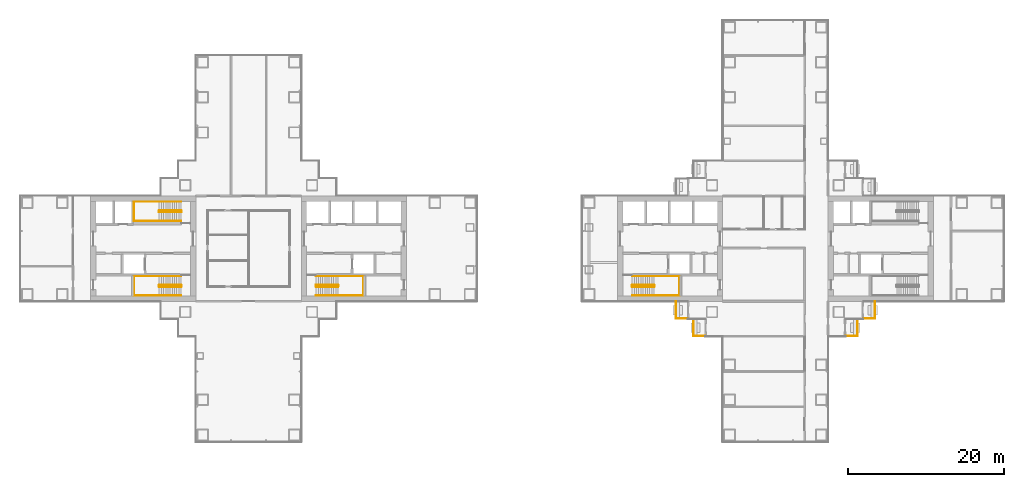
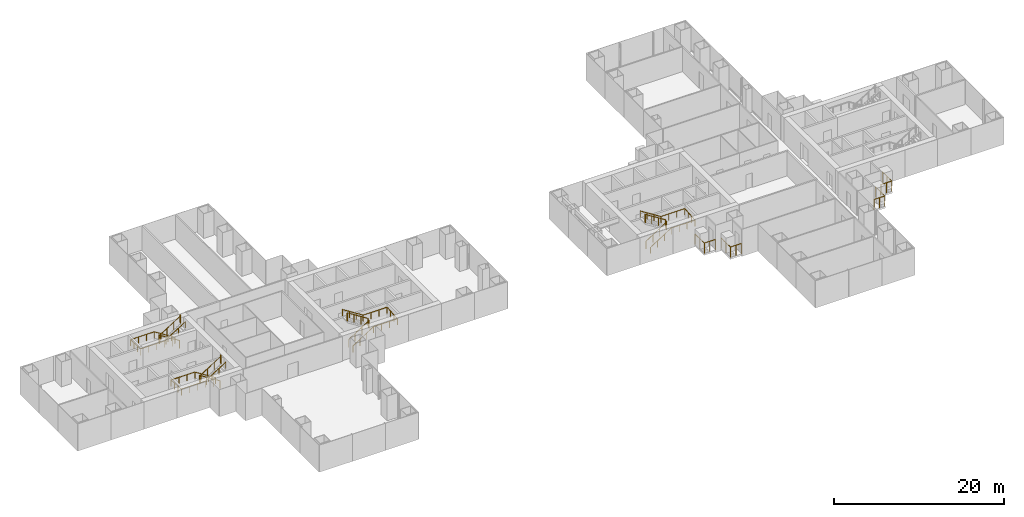
# One storey, part 19 of 21: 12 railings.
"""IFC4 building model written with IfcOpenShell, lengths in metres."""

from ifc_helpers import new_model, si_unit, direction, frame, origin, origin_2d, place, context, subcontext, project, spatial, circle, extrude, material, type_object, element, save


model = new_model("IFC4")

# Units and contexts
model_context = context("Model", 3, precision=1e-05, world=origin(), true_north=direction((0.0, 1.0)))
body_context = subcontext(model_context, "Body", "Model", "MODEL_VIEW")
ifc_project = project(units=[si_unit("LENGTHUNIT", "METRE"), si_unit("AREAUNIT", "SQUARE_METRE"), si_unit("VOLUMEUNIT", "CUBIC_METRE"), si_unit("PLANEANGLEUNIT", "RADIAN"), si_unit("MASSUNIT", "GRAM", prefix="KILO")], contexts=[model_context])

# Site, building, storey
site_placement = place(None, origin())
site = spatial("IfcSite", under=ifc_project, at=site_placement, CompositionType="ELEMENT")
building_placement = place(site_placement, origin())
building = spatial("IfcBuilding", under=site, at=building_placement, Name="Shamsa Quay Exchange Towers", CompositionType="ELEMENT")
storey_placement = place(building_placement, frame((0.0, 0.0, 53.699951171875)))
storey = spatial("IfcBuildingStorey", under=building, at=storey_placement, Name="L11", CompositionType="ELEMENT", Elevation=53.699951171875)

# Railings
ifc_material_1 = material(Name="Steel S355, black powder-coated", Category="steel")
railing_type_1 = type_object("IfcRailingType", Name="BALCONY GUARD 1500", PredefinedType="GUARDRAIL", material=ifc_material_1)
for number, where, name in (
    (1, (21.0, -6.7880859375, 0.0), "Balcony guard T2-PKWN L11"),
    (2, (23.25, -9.0380859375, 0.0), "Balcony guard T2-PKWN L11"),
):
    element("IfcRailing", number, at=place(storey_placement, frame(where)), inside=storey, type_object=railing_type_1, Name=name, PredefinedType="GUARDRAIL", context=body_context, shape_type="SweptSolid", body=[
        extrude(circle(Radius=0.02392578125, at=origin_2d()), frame((0.0, 0.0, 1.47607421875), z_axis=(0.0, -1.0, 0.0), x_axis=(1.0, 0.0, 0.0)), (0.0, 0.0, 1.0), 2.161865234375),
        extrude(circle(Radius=0.02392578125, at=origin_2d()), frame((0.0, -2.161865234375, 1.47607421875), z_axis=(1.0, 0.0, 0.0), x_axis=(0.0, 1.0, 0.0)), (0.0, 0.0, 1.0), 1.47900390625),
        extrude(circle(Radius=0.02099609375, at=origin_2d()), origin(), (0.0, 0.0, 1.0), 1.451904296875),
        extrude(circle(Radius=0.02099609375, at=origin_2d()), frame((0.0, -1.0810546875, 0.0)), (0.0, 0.0, 1.0), 1.451904296875),
        extrude(circle(Radius=0.02099609375, at=origin_2d()), frame((0.0, -2.161865234375, 0.0)), (0.0, 0.0, 1.0), 1.451904296875),
        extrude(circle(Radius=0.02099609375, at=origin_2d()), frame((0.739501953125, -2.161865234375, 0.0)), (0.0, 0.0, 1.0), 1.451904296875),
        extrude(circle(Radius=0.02099609375, at=origin_2d()), frame((1.47900390625, -2.161865234375, 0.0)), (0.0, 0.0, 1.0), 1.451904296875),
    ])
for number, where, name in (
    (3, (42.77099609375, -11.199951171875, 0.0), "Balcony guard T2-PKWS L11"),
    (4, (45.02099609375, -8.949951171875, 0.0), "Balcony guard T2-PKWS L11"),
):
    element("IfcRailing", number, at=place(storey_placement, frame(where)), inside=storey, type_object=railing_type_1, Name=name, PredefinedType="GUARDRAIL", context=body_context, shape_type="SweptSolid", body=[
        extrude(circle(Radius=0.02392578125, at=origin_2d()), frame((0.0, 0.0, 1.47607421875), z_axis=(1.0, 0.0, 0.0), x_axis=(0.0, 1.0, 0.0)), (0.0, 0.0, 1.0), 1.47900390625),
        extrude(circle(Radius=0.02392578125, at=origin_2d()), frame((1.47900390625, 0.0, 1.47607421875), z_axis=(0.0, 1.0, 0.0), x_axis=(-1.0, 0.0, 0.0)), (0.0, 0.0, 1.0), 2.161865234375),
        extrude(circle(Radius=0.02099609375, at=origin_2d()), origin(), (0.0, 0.0, 1.0), 1.451904296875),
        extrude(circle(Radius=0.02099609375, at=origin_2d()), frame((0.739501953125, 0.0, 0.0)), (0.0, 0.0, 1.0), 1.451904296875),
        extrude(circle(Radius=0.02099609375, at=origin_2d()), frame((1.47900390625, 0.0, 0.0)), (0.0, 0.0, 1.0), 1.451904296875),
        extrude(circle(Radius=0.02099609375, at=origin_2d()), frame((1.47900390625, 1.0810546875, 0.0)), (0.0, 0.0, 1.0), 1.451904296875),
        extrude(circle(Radius=0.02099609375, at=origin_2d()), frame((1.47900390625, 2.161865234375, 0.0)), (0.0, 0.0, 1.0), 1.451904296875),
    ])
ifc_material_2 = material(Name="Stainless steel", Category="steel")
railing_type_2 = type_object("IfcRailingType", Name="STAIR GUARD 1100", PredefinedType="GUARDRAIL", material=ifc_material_2)
railing_1_placement = place(storey_placement, frame((-25.10009765625, -4.89990234375, 0.17724609375)))
element("IfcRailing", 5, at=railing_1_placement, inside=storey, type_object=railing_type_2, Name="L11 ST1 stair guard 1", PredefinedType="GUARDRAIL", context=body_context, shape_type="SweptSolid", body=[
    extrude(circle(Radius=0.02392578125, at=origin_2d()), frame((0.0, 0.0, 1.076171875), z_axis=(0.844908973607, 0.0, 0.534910110503), x_axis=(0.0, 1.0, 0.0)), (0.0, 0.0, 1.0), 3.31396484375),
    extrude(circle(Radius=0.02392578125, at=origin_2d()), frame((2.800048828125, 0.0, 2.8486328125), z_axis=(0.708833529934, 0.705375805398, 0.0), x_axis=(-0.705375805398, 0.708833529934, 0.0)), (0.0, 0.0, 1.0), 0.070556640625),
    extrude(circle(Radius=0.02392578125, at=origin_2d()), frame((2.85009765625, 0.0498046875, 2.8486328125), z_axis=(0.0, 1.0, 0.0), x_axis=(-1.0, 0.0, 0.0)), (0.0, 0.0, 1.0), 0.150146484375),
    extrude(circle(Radius=0.02392578125, at=origin_2d()), frame((2.85009765625, 0.199951171875, 2.8486328125), z_axis=(-0.261922500866, 0.261922500866, 0.928866625022), x_axis=(-0.707106781187, -0.707106781187, 0.0)), (0.0, 0.0, 1.0), 0.191162109375),
    extrude(circle(Radius=0.02392578125, at=origin_2d()), frame((2.800048828125, 0.25, 3.0263671875), z_axis=(-0.844908973607, 0.0, 0.534910110503), x_axis=(0.0, -1.0, 0.0)), (0.0, 0.0, 1.0), 3.31396484375),
    extrude(circle(Radius=0.02392578125, at=origin_2d()), frame((0.0, 0.25, 4.798828125), z_axis=(-0.24142163986, -0.970420317083, 0.0), x_axis=(0.970420317083, -0.24142163986, 0.0)), (0.0, 0.0, 1.0), 0.206298828125),
    extrude(circle(Radius=0.02392578125, at=origin_2d()), frame((-0.0498046875, 0.0498046875, 4.798828125), z_axis=(0.0, 1.0, 0.0), x_axis=(-1.0, 0.0, 0.0)), (0.0, 0.0, 1.0), 0.150146484375),
    extrude(circle(Radius=0.02099609375, at=origin_2d()), origin(), (0.0, 0.0, 1.0), 1.052001953125),
    extrude(circle(Radius=0.02099609375, at=origin_2d()), frame((0.933349609375, 0.0, 0.5908203125)), (0.0, 0.0, 1.0), 1.052001953125),
    extrude(circle(Radius=0.02099609375, at=origin_2d()), frame((1.86669921875, 0.0, 1.181884765625)), (0.0, 0.0, 1.0), 1.052001953125),
    extrude(circle(Radius=0.02099609375, at=origin_2d()), frame((2.800048828125, 0.0, 1.772705078125)), (0.0, 0.0, 1.0), 1.052001953125),
    extrude(circle(Radius=0.02099609375, at=origin_2d()), frame((2.85009765625, 0.0498046875, 1.772705078125)), (0.0, 0.0, 1.0), 1.052001953125),
    extrude(circle(Radius=0.02099609375, at=origin_2d()), frame((2.85009765625, 0.199951171875, 1.772705078125)), (0.0, 0.0, 1.0), 1.052001953125),
    extrude(circle(Radius=0.02099609375, at=origin_2d()), frame((2.800048828125, 0.25, 1.9501953125)), (0.0, 0.0, 1.0), 1.052001953125),
    extrude(circle(Radius=0.02099609375, at=origin_2d()), frame((1.86669921875, 0.25, 2.541015625)), (0.0, 0.0, 1.0), 1.052001953125),
    extrude(circle(Radius=0.02099609375, at=origin_2d()), frame((0.933349609375, 0.25, 3.132080078125)), (0.0, 0.0, 1.0), 1.052001953125),
    extrude(circle(Radius=0.02099609375, at=origin_2d()), frame((0.0, 0.25, 3.722900390625)), (0.0, 0.0, 1.0), 1.052001953125),
    extrude(circle(Radius=0.02099609375, at=origin_2d()), frame((-0.0498046875, 0.0498046875, 3.722900390625)), (0.0, 0.0, 1.0), 1.052001953125),
    extrude(circle(Radius=0.02099609375, at=origin_2d()), frame((-0.0498046875, 0.199951171875, 3.722900390625)), (0.0, 0.0, 1.0), 1.052001953125),
])
railing_2_placement = place(storey_placement, frame((-42.39990234375, -4.64990234375, 0.17724609375)))
element("IfcRailing", 6, at=railing_2_placement, inside=storey, type_object=railing_type_2, Name="L11 ST2 stair guard 1", PredefinedType="GUARDRAIL", context=body_context, shape_type="SweptSolid", body=[
    extrude(circle(Radius=0.02392578125, at=origin_2d()), frame((0.0, 0.0, 1.076171875), z_axis=(-0.844908973607, 0.0, 0.534910110503), x_axis=(0.0, -1.0, 0.0)), (0.0, 0.0, 1.0), 3.31396484375),
    extrude(circle(Radius=0.02392578125, at=origin_2d()), frame((-2.800048828125, 0.0, 2.8486328125), z_axis=(-0.707106781187, -0.707106781187, 0.0), x_axis=(0.707106781187, -0.707106781187, 0.0)), (0.0, 0.0, 1.0), 0.07080078125),
    extrude(circle(Radius=0.02392578125, at=origin_2d()), frame((-2.85009765625, -0.050048828125, 2.8486328125), z_axis=(0.0, -1.0, 0.0), x_axis=(1.0, 0.0, 0.0)), (0.0, 0.0, 1.0), 0.150146484375),
    extrude(circle(Radius=0.02392578125, at=origin_2d()), frame((-2.85009765625, -0.2001953125, 2.8486328125), z_axis=(0.262009983441, -0.260731885961, 0.929176868105), x_axis=(0.705375805398, 0.708833529934, 0.0)), (0.0, 0.0, 1.0), 0.19091796875),
    extrude(circle(Radius=0.02392578125, at=origin_2d()), frame((-2.800048828125, -0.25, 3.0263671875), z_axis=(0.844908973607, 0.0, 0.534910110503), x_axis=(0.0, 1.0, 0.0)), (0.0, 0.0, 1.0), 3.31396484375),
    extrude(circle(Radius=0.02392578125, at=origin_2d()), frame((0.0, -0.25, 4.798828125), z_axis=(0.241699205484, 0.970351222016, 0.0), x_axis=(-0.970351222016, 0.241699205484, 0.0)), (0.0, 0.0, 1.0), 0.2060546875),
    extrude(circle(Radius=0.02392578125, at=origin_2d()), frame((0.0498046875, -0.050048828125, 4.798828125), z_axis=(0.0, -1.0, 0.0), x_axis=(1.0, 0.0, 0.0)), (0.0, 0.0, 1.0), 0.150146484375),
    extrude(circle(Radius=0.02099609375, at=origin_2d()), origin(), (0.0, 0.0, 1.0), 1.052001953125),
    extrude(circle(Radius=0.02099609375, at=origin_2d()), frame((-0.933349609375, 0.0, 0.5908203125)), (0.0, 0.0, 1.0), 1.052001953125),
    extrude(circle(Radius=0.02099609375, at=origin_2d()), frame((-1.86669921875, 0.0, 1.181884765625)), (0.0, 0.0, 1.0), 1.052001953125),
    extrude(circle(Radius=0.02099609375, at=origin_2d()), frame((-2.800048828125, 0.0, 1.772705078125)), (0.0, 0.0, 1.0), 1.052001953125),
    extrude(circle(Radius=0.02099609375, at=origin_2d()), frame((-2.85009765625, -0.050048828125, 1.772705078125)), (0.0, 0.0, 1.0), 1.052001953125),
    extrude(circle(Radius=0.02099609375, at=origin_2d()), frame((-2.85009765625, -0.2001953125, 1.772705078125)), (0.0, 0.0, 1.0), 1.052001953125),
    extrude(circle(Radius=0.02099609375, at=origin_2d()), frame((-2.800048828125, -0.25, 1.9501953125)), (0.0, 0.0, 1.0), 1.052001953125),
    extrude(circle(Radius=0.02099609375, at=origin_2d()), frame((-1.86669921875, -0.25, 2.541015625)), (0.0, 0.0, 1.0), 1.052001953125),
    extrude(circle(Radius=0.02099609375, at=origin_2d()), frame((-0.933349609375, -0.25, 3.132080078125)), (0.0, 0.0, 1.0), 1.052001953125),
    extrude(circle(Radius=0.02099609375, at=origin_2d()), frame((0.0, -0.25, 3.722900390625)), (0.0, 0.0, 1.0), 1.052001953125),
    extrude(circle(Radius=0.02099609375, at=origin_2d()), frame((0.0498046875, -0.050048828125, 3.722900390625)), (0.0, 0.0, 1.0), 1.052001953125),
    extrude(circle(Radius=0.02099609375, at=origin_2d()), frame((0.0498046875, -0.2001953125, 3.722900390625)), (0.0, 0.0, 1.0), 1.052001953125),
])
railing_3_placement = place(storey_placement, frame((-42.39990234375, 4.89990234375, 0.17724609375)))
element("IfcRailing", 7, at=railing_3_placement, inside=storey, type_object=railing_type_2, Name="L11 ST3 stair guard 1", PredefinedType="GUARDRAIL", context=body_context, shape_type="SweptSolid", body=[
    extrude(circle(Radius=0.02392578125, at=origin_2d()), frame((0.0, 0.0, 1.076171875), z_axis=(-0.844908973607, 0.0, 0.534910110503), x_axis=(0.0, -1.0, 0.0)), (0.0, 0.0, 1.0), 3.31396484375),
    extrude(circle(Radius=0.02392578125, at=origin_2d()), frame((-2.800048828125, 0.0, 2.8486328125), z_axis=(-0.708833529934, -0.705375805398, 0.0), x_axis=(0.705375805398, -0.708833529934, 0.0)), (0.0, 0.0, 1.0), 0.070556640625),
    extrude(circle(Radius=0.02392578125, at=origin_2d()), frame((-2.85009765625, -0.0498046875, 2.8486328125), z_axis=(0.0, -1.0, 0.0), x_axis=(1.0, 0.0, 0.0)), (0.0, 0.0, 1.0), 0.150146484375),
    extrude(circle(Radius=0.02392578125, at=origin_2d()), frame((-2.85009765625, -0.199951171875, 2.8486328125), z_axis=(0.261922500866, -0.261922500866, 0.928866625022), x_axis=(0.707106781187, 0.707106781187, 0.0)), (0.0, 0.0, 1.0), 0.191162109375),
    extrude(circle(Radius=0.02392578125, at=origin_2d()), frame((-2.800048828125, -0.25, 3.0263671875), z_axis=(0.844908973607, 0.0, 0.534910110503), x_axis=(0.0, 1.0, 0.0)), (0.0, 0.0, 1.0), 3.31396484375),
    extrude(circle(Radius=0.02392578125, at=origin_2d()), frame((0.0, -0.25, 4.798828125), z_axis=(0.24142163986, 0.970420317083, 0.0), x_axis=(-0.970420317083, 0.24142163986, 0.0)), (0.0, 0.0, 1.0), 0.206298828125),
    extrude(circle(Radius=0.02392578125, at=origin_2d()), frame((0.0498046875, -0.0498046875, 4.798828125), z_axis=(0.0, -1.0, 0.0), x_axis=(1.0, 0.0, 0.0)), (0.0, 0.0, 1.0), 0.150146484375),
    extrude(circle(Radius=0.02099609375, at=origin_2d()), origin(), (0.0, 0.0, 1.0), 1.052001953125),
    extrude(circle(Radius=0.02099609375, at=origin_2d()), frame((-0.933349609375, 0.0, 0.5908203125)), (0.0, 0.0, 1.0), 1.052001953125),
    extrude(circle(Radius=0.02099609375, at=origin_2d()), frame((-1.86669921875, 0.0, 1.181884765625)), (0.0, 0.0, 1.0), 1.052001953125),
    extrude(circle(Radius=0.02099609375, at=origin_2d()), frame((-2.800048828125, 0.0, 1.772705078125)), (0.0, 0.0, 1.0), 1.052001953125),
    extrude(circle(Radius=0.02099609375, at=origin_2d()), frame((-2.85009765625, -0.0498046875, 1.772705078125)), (0.0, 0.0, 1.0), 1.052001953125),
    extrude(circle(Radius=0.02099609375, at=origin_2d()), frame((-2.85009765625, -0.199951171875, 1.772705078125)), (0.0, 0.0, 1.0), 1.052001953125),
    extrude(circle(Radius=0.02099609375, at=origin_2d()), frame((-2.800048828125, -0.25, 1.9501953125)), (0.0, 0.0, 1.0), 1.052001953125),
    extrude(circle(Radius=0.02099609375, at=origin_2d()), frame((-1.86669921875, -0.25, 2.541015625)), (0.0, 0.0, 1.0), 1.052001953125),
    extrude(circle(Radius=0.02099609375, at=origin_2d()), frame((-0.933349609375, -0.25, 3.132080078125)), (0.0, 0.0, 1.0), 1.052001953125),
    extrude(circle(Radius=0.02099609375, at=origin_2d()), frame((0.0, -0.25, 3.722900390625)), (0.0, 0.0, 1.0), 1.052001953125),
    extrude(circle(Radius=0.02099609375, at=origin_2d()), frame((0.0498046875, -0.0498046875, 3.722900390625)), (0.0, 0.0, 1.0), 1.052001953125),
    extrude(circle(Radius=0.02099609375, at=origin_2d()), frame((0.0498046875, -0.199951171875, 3.722900390625)), (0.0, 0.0, 1.0), 1.052001953125),
])
railing_4_placement = place(storey_placement, frame((15.39990234375, -4.89990234375, 0.17724609375)))
element("IfcRailing", 8, at=railing_4_placement, inside=storey, type_object=railing_type_2, Name="L11 ST4 stair guard 1", PredefinedType="GUARDRAIL", context=body_context, shape_type="SweptSolid", body=[
    extrude(circle(Radius=0.02392578125, at=origin_2d()), frame((0.0, 0.0, 1.076171875), z_axis=(0.844908973607, 0.0, 0.534910110503), x_axis=(0.0, 1.0, 0.0)), (0.0, 0.0, 1.0), 3.31396484375),
    extrude(circle(Radius=0.02392578125, at=origin_2d()), frame((2.800048828125, 0.0, 2.8486328125), z_axis=(0.708833529934, 0.705375805398, 0.0), x_axis=(-0.705375805398, 0.708833529934, 0.0)), (0.0, 0.0, 1.0), 0.070556640625),
    extrude(circle(Radius=0.02392578125, at=origin_2d()), frame((2.85009765625, 0.0498046875, 2.8486328125), z_axis=(0.0, 1.0, 0.0), x_axis=(-1.0, 0.0, 0.0)), (0.0, 0.0, 1.0), 0.150146484375),
    extrude(circle(Radius=0.02392578125, at=origin_2d()), frame((2.85009765625, 0.199951171875, 2.8486328125), z_axis=(-0.261922500866, 0.261922500866, 0.928866625022), x_axis=(-0.707106781187, -0.707106781187, 0.0)), (0.0, 0.0, 1.0), 0.191162109375),
    extrude(circle(Radius=0.02392578125, at=origin_2d()), frame((2.800048828125, 0.25, 3.0263671875), z_axis=(-0.844908973607, 0.0, 0.534910110503), x_axis=(0.0, -1.0, 0.0)), (0.0, 0.0, 1.0), 3.31396484375),
    extrude(circle(Radius=0.02392578125, at=origin_2d()), frame((0.0, 0.25, 4.798828125), z_axis=(-0.24142163986, -0.970420317083, 0.0), x_axis=(0.970420317083, -0.24142163986, 0.0)), (0.0, 0.0, 1.0), 0.206298828125),
    extrude(circle(Radius=0.02392578125, at=origin_2d()), frame((-0.0498046875, 0.0498046875, 4.798828125), z_axis=(0.0, 1.0, 0.0), x_axis=(-1.0, 0.0, 0.0)), (0.0, 0.0, 1.0), 0.150146484375),
    extrude(circle(Radius=0.02099609375, at=origin_2d()), origin(), (0.0, 0.0, 1.0), 1.052001953125),
    extrude(circle(Radius=0.02099609375, at=origin_2d()), frame((0.933349609375, 0.0, 0.5908203125)), (0.0, 0.0, 1.0), 1.052001953125),
    extrude(circle(Radius=0.02099609375, at=origin_2d()), frame((1.86669921875, 0.0, 1.181884765625)), (0.0, 0.0, 1.0), 1.052001953125),
    extrude(circle(Radius=0.02099609375, at=origin_2d()), frame((2.800048828125, 0.0, 1.772705078125)), (0.0, 0.0, 1.0), 1.052001953125),
    extrude(circle(Radius=0.02099609375, at=origin_2d()), frame((2.85009765625, 0.0498046875, 1.772705078125)), (0.0, 0.0, 1.0), 1.052001953125),
    extrude(circle(Radius=0.02099609375, at=origin_2d()), frame((2.85009765625, 0.199951171875, 1.772705078125)), (0.0, 0.0, 1.0), 1.052001953125),
    extrude(circle(Radius=0.02099609375, at=origin_2d()), frame((2.800048828125, 0.25, 1.9501953125)), (0.0, 0.0, 1.0), 1.052001953125),
    extrude(circle(Radius=0.02099609375, at=origin_2d()), frame((1.86669921875, 0.25, 2.541015625)), (0.0, 0.0, 1.0), 1.052001953125),
    extrude(circle(Radius=0.02099609375, at=origin_2d()), frame((0.933349609375, 0.25, 3.132080078125)), (0.0, 0.0, 1.0), 1.052001953125),
    extrude(circle(Radius=0.02099609375, at=origin_2d()), frame((0.0, 0.25, 3.722900390625)), (0.0, 0.0, 1.0), 1.052001953125),
    extrude(circle(Radius=0.02099609375, at=origin_2d()), frame((-0.0498046875, 0.0498046875, 3.722900390625)), (0.0, 0.0, 1.0), 1.052001953125),
    extrude(circle(Radius=0.02099609375, at=origin_2d()), frame((-0.0498046875, 0.199951171875, 3.722900390625)), (0.0, 0.0, 1.0), 1.052001953125),
])
railing_type_3 = type_object("IfcRailingType", Name="STAIR HANDRAIL 900", PredefinedType="HANDRAIL", material=ifc_material_2)
railing_5_placement = place(storey_placement, frame((-25.10009765625, -6.0, 0.17724609375)))
element("IfcRailing", 9, at=railing_5_placement, inside=storey, type_object=railing_type_3, Name="L11 ST1 stair handrail 1", PredefinedType="HANDRAIL", context=body_context, shape_type="SweptSolid", body=[
    extrude(circle(Radius=0.02392578125, at=origin_2d()), frame((0.0, 0.0, 0.8759765625), z_axis=(0.844908973607, 0.0, 0.534910110503), x_axis=(0.0, 1.0, 0.0)), (0.0, 0.0, 1.0), 3.31396484375),
    extrude(circle(Radius=0.02392578125, at=origin_2d()), frame((2.800048828125, 0.0, 2.6484375), z_axis=(1.0, 0.0, 0.0), x_axis=(0.0, 1.0, 0.0)), (0.0, 0.0, 1.0), 3.25),
    extrude(circle(Radius=0.02392578125, at=origin_2d()), frame((6.050048828125, 0.0, 2.6484375), z_axis=(0.0, 0.997386041853, 0.072257065513), x_axis=(-1.0, 0.0, 0.0)), (0.0, 0.0, 1.0), 2.456298828125),
    extrude(circle(Radius=0.02392578125, at=origin_2d()), frame((6.050048828125, 2.449951171875, 2.826171875), z_axis=(-1.0, 0.0, 0.0), x_axis=(0.0, -1.0, 0.0)), (0.0, 0.0, 1.0), 3.25),
    extrude(circle(Radius=0.02392578125, at=origin_2d()), frame((2.800048828125, 2.449951171875, 2.826171875), z_axis=(-0.844908973607, 0.0, 0.534910110503), x_axis=(0.0, -1.0, 0.0)), (0.0, 0.0, 1.0), 3.31396484375),
    extrude(circle(Radius=0.02099609375, at=origin_2d()), origin(), (0.0, 0.0, 1.0), 0.851806640625),
    extrude(circle(Radius=0.02099609375, at=origin_2d()), frame((0.933349609375, 0.0, 0.5908203125)), (0.0, 0.0, 1.0), 0.851806640625),
    extrude(circle(Radius=0.02099609375, at=origin_2d()), frame((1.86669921875, 0.0, 1.181884765625)), (0.0, 0.0, 1.0), 0.851806640625),
    extrude(circle(Radius=0.02099609375, at=origin_2d()), frame((2.800048828125, 0.0, 1.772705078125)), (0.0, 0.0, 1.0), 0.851806640625),
    extrude(circle(Radius=0.02099609375, at=origin_2d()), frame((3.88330078125, 0.0, 1.772705078125)), (0.0, 0.0, 1.0), 0.851806640625),
    extrude(circle(Radius=0.02099609375, at=origin_2d()), frame((4.966796875, 0.0, 1.772705078125)), (0.0, 0.0, 1.0), 0.851806640625),
    extrude(circle(Radius=0.02099609375, at=origin_2d()), frame((6.050048828125, 0.0, 1.772705078125)), (0.0, 0.0, 1.0), 0.851806640625),
    extrude(circle(Radius=0.02099609375, at=origin_2d()), frame((6.050048828125, 0.816650390625, 1.831787109375)), (0.0, 0.0, 1.0), 0.851806640625),
    extrude(circle(Radius=0.02099609375, at=origin_2d()), frame((6.050048828125, 1.63330078125, 1.89111328125)), (0.0, 0.0, 1.0), 0.851806640625),
    extrude(circle(Radius=0.02099609375, at=origin_2d()), frame((6.050048828125, 2.449951171875, 1.9501953125)), (0.0, 0.0, 1.0), 0.851806640625),
    extrude(circle(Radius=0.02099609375, at=origin_2d()), frame((4.966796875, 2.449951171875, 1.9501953125)), (0.0, 0.0, 1.0), 0.851806640625),
    extrude(circle(Radius=0.02099609375, at=origin_2d()), frame((3.88330078125, 2.449951171875, 1.9501953125)), (0.0, 0.0, 1.0), 0.851806640625),
    extrude(circle(Radius=0.02099609375, at=origin_2d()), frame((2.800048828125, 2.449951171875, 1.9501953125)), (0.0, 0.0, 1.0), 0.851806640625),
    extrude(circle(Radius=0.02099609375, at=origin_2d()), frame((1.86669921875, 2.449951171875, 2.541015625)), (0.0, 0.0, 1.0), 0.851806640625),
    extrude(circle(Radius=0.02099609375, at=origin_2d()), frame((0.933349609375, 2.449951171875, 3.132080078125)), (0.0, 0.0, 1.0), 0.851806640625),
    extrude(circle(Radius=0.02099609375, at=origin_2d()), frame((0.0, 2.449951171875, 3.722900390625)), (0.0, 0.0, 1.0), 0.851806640625),
])
railing_6_placement = place(storey_placement, frame((-42.39990234375, -3.550048828125, 0.17724609375)))
element("IfcRailing", 10, at=railing_6_placement, inside=storey, type_object=railing_type_3, Name="L11 ST2 stair handrail 1", PredefinedType="HANDRAIL", context=body_context, shape_type="SweptSolid", body=[
    extrude(circle(Radius=0.02392578125, at=origin_2d()), frame((0.0, 0.0, 0.8759765625), z_axis=(-0.844908973607, 0.0, 0.534910110503), x_axis=(0.0, -1.0, 0.0)), (0.0, 0.0, 1.0), 3.31396484375),
    extrude(circle(Radius=0.02392578125, at=origin_2d()), frame((-2.800048828125, 0.0, 2.6484375), z_axis=(-1.0, 0.0, 0.0), x_axis=(0.0, -1.0, 0.0)), (0.0, 0.0, 1.0), 3.25),
    extrude(circle(Radius=0.02392578125, at=origin_2d()), frame((-6.050048828125, 0.0, 2.6484375), z_axis=(0.0, -0.997386041853, 0.072257065513), x_axis=(1.0, 0.0, 0.0)), (0.0, 0.0, 1.0), 2.456298828125),
    extrude(circle(Radius=0.02392578125, at=origin_2d()), frame((-6.050048828125, -2.449951171875, 2.826171875), z_axis=(1.0, 0.0, 0.0), x_axis=(0.0, 1.0, 0.0)), (0.0, 0.0, 1.0), 3.25),
    extrude(circle(Radius=0.02392578125, at=origin_2d()), frame((-2.800048828125, -2.449951171875, 2.826171875), z_axis=(0.844908973607, 0.0, 0.534910110503), x_axis=(0.0, 1.0, 0.0)), (0.0, 0.0, 1.0), 3.31396484375),
    extrude(circle(Radius=0.02099609375, at=origin_2d()), origin(), (0.0, 0.0, 1.0), 0.851806640625),
    extrude(circle(Radius=0.02099609375, at=origin_2d()), frame((-0.933349609375, 0.0, 0.5908203125)), (0.0, 0.0, 1.0), 0.851806640625),
    extrude(circle(Radius=0.02099609375, at=origin_2d()), frame((-1.86669921875, 0.0, 1.181884765625)), (0.0, 0.0, 1.0), 0.851806640625),
    extrude(circle(Radius=0.02099609375, at=origin_2d()), frame((-2.800048828125, 0.0, 1.772705078125)), (0.0, 0.0, 1.0), 0.851806640625),
    extrude(circle(Radius=0.02099609375, at=origin_2d()), frame((-3.88330078125, 0.0, 1.772705078125)), (0.0, 0.0, 1.0), 0.851806640625),
    extrude(circle(Radius=0.02099609375, at=origin_2d()), frame((-4.966796875, 0.0, 1.772705078125)), (0.0, 0.0, 1.0), 0.851806640625),
    extrude(circle(Radius=0.02099609375, at=origin_2d()), frame((-6.050048828125, 0.0, 1.772705078125)), (0.0, 0.0, 1.0), 0.851806640625),
    extrude(circle(Radius=0.02099609375, at=origin_2d()), frame((-6.050048828125, -0.816650390625, 1.831787109375)), (0.0, 0.0, 1.0), 0.851806640625),
    extrude(circle(Radius=0.02099609375, at=origin_2d()), frame((-6.050048828125, -1.63330078125, 1.89111328125)), (0.0, 0.0, 1.0), 0.851806640625),
    extrude(circle(Radius=0.02099609375, at=origin_2d()), frame((-6.050048828125, -2.449951171875, 1.9501953125)), (0.0, 0.0, 1.0), 0.851806640625),
    extrude(circle(Radius=0.02099609375, at=origin_2d()), frame((-4.966796875, -2.449951171875, 1.9501953125)), (0.0, 0.0, 1.0), 0.851806640625),
    extrude(circle(Radius=0.02099609375, at=origin_2d()), frame((-3.88330078125, -2.449951171875, 1.9501953125)), (0.0, 0.0, 1.0), 0.851806640625),
    extrude(circle(Radius=0.02099609375, at=origin_2d()), frame((-2.800048828125, -2.449951171875, 1.9501953125)), (0.0, 0.0, 1.0), 0.851806640625),
    extrude(circle(Radius=0.02099609375, at=origin_2d()), frame((-1.86669921875, -2.449951171875, 2.541015625)), (0.0, 0.0, 1.0), 0.851806640625),
    extrude(circle(Radius=0.02099609375, at=origin_2d()), frame((-0.933349609375, -2.449951171875, 3.132080078125)), (0.0, 0.0, 1.0), 0.851806640625),
    extrude(circle(Radius=0.02099609375, at=origin_2d()), frame((0.0, -2.449951171875, 3.722900390625)), (0.0, 0.0, 1.0), 0.851806640625),
])
railing_7_placement = place(storey_placement, frame((-42.39990234375, 6.0, 0.17724609375)))
element("IfcRailing", 11, at=railing_7_placement, inside=storey, type_object=railing_type_3, Name="L11 ST3 stair handrail 1", PredefinedType="HANDRAIL", context=body_context, shape_type="SweptSolid", body=[
    extrude(circle(Radius=0.02392578125, at=origin_2d()), frame((0.0, 0.0, 0.8759765625), z_axis=(-0.844908973607, 0.0, 0.534910110503), x_axis=(0.0, -1.0, 0.0)), (0.0, 0.0, 1.0), 3.31396484375),
    extrude(circle(Radius=0.02392578125, at=origin_2d()), frame((-2.800048828125, 0.0, 2.6484375), z_axis=(-1.0, 0.0, 0.0), x_axis=(0.0, -1.0, 0.0)), (0.0, 0.0, 1.0), 3.25),
    extrude(circle(Radius=0.02392578125, at=origin_2d()), frame((-6.050048828125, 0.0, 2.6484375), z_axis=(0.0, -0.997386041853, 0.072257065513), x_axis=(1.0, 0.0, 0.0)), (0.0, 0.0, 1.0), 2.456298828125),
    extrude(circle(Radius=0.02392578125, at=origin_2d()), frame((-6.050048828125, -2.449951171875, 2.826171875), z_axis=(1.0, 0.0, 0.0), x_axis=(0.0, 1.0, 0.0)), (0.0, 0.0, 1.0), 3.25),
    extrude(circle(Radius=0.02392578125, at=origin_2d()), frame((-2.800048828125, -2.449951171875, 2.826171875), z_axis=(0.844908973607, 0.0, 0.534910110503), x_axis=(0.0, 1.0, 0.0)), (0.0, 0.0, 1.0), 3.31396484375),
    extrude(circle(Radius=0.02099609375, at=origin_2d()), origin(), (0.0, 0.0, 1.0), 0.851806640625),
    extrude(circle(Radius=0.02099609375, at=origin_2d()), frame((-0.933349609375, 0.0, 0.5908203125)), (0.0, 0.0, 1.0), 0.851806640625),
    extrude(circle(Radius=0.02099609375, at=origin_2d()), frame((-1.86669921875, 0.0, 1.181884765625)), (0.0, 0.0, 1.0), 0.851806640625),
    extrude(circle(Radius=0.02099609375, at=origin_2d()), frame((-2.800048828125, 0.0, 1.772705078125)), (0.0, 0.0, 1.0), 0.851806640625),
    extrude(circle(Radius=0.02099609375, at=origin_2d()), frame((-3.88330078125, 0.0, 1.772705078125)), (0.0, 0.0, 1.0), 0.851806640625),
    extrude(circle(Radius=0.02099609375, at=origin_2d()), frame((-4.966796875, 0.0, 1.772705078125)), (0.0, 0.0, 1.0), 0.851806640625),
    extrude(circle(Radius=0.02099609375, at=origin_2d()), frame((-6.050048828125, 0.0, 1.772705078125)), (0.0, 0.0, 1.0), 0.851806640625),
    extrude(circle(Radius=0.02099609375, at=origin_2d()), frame((-6.050048828125, -0.816650390625, 1.831787109375)), (0.0, 0.0, 1.0), 0.851806640625),
    extrude(circle(Radius=0.02099609375, at=origin_2d()), frame((-6.050048828125, -1.63330078125, 1.89111328125)), (0.0, 0.0, 1.0), 0.851806640625),
    extrude(circle(Radius=0.02099609375, at=origin_2d()), frame((-6.050048828125, -2.449951171875, 1.9501953125)), (0.0, 0.0, 1.0), 0.851806640625),
    extrude(circle(Radius=0.02099609375, at=origin_2d()), frame((-4.966796875, -2.449951171875, 1.9501953125)), (0.0, 0.0, 1.0), 0.851806640625),
    extrude(circle(Radius=0.02099609375, at=origin_2d()), frame((-3.88330078125, -2.449951171875, 1.9501953125)), (0.0, 0.0, 1.0), 0.851806640625),
    extrude(circle(Radius=0.02099609375, at=origin_2d()), frame((-2.800048828125, -2.449951171875, 1.9501953125)), (0.0, 0.0, 1.0), 0.851806640625),
    extrude(circle(Radius=0.02099609375, at=origin_2d()), frame((-1.86669921875, -2.449951171875, 2.541015625)), (0.0, 0.0, 1.0), 0.851806640625),
    extrude(circle(Radius=0.02099609375, at=origin_2d()), frame((-0.933349609375, -2.449951171875, 3.132080078125)), (0.0, 0.0, 1.0), 0.851806640625),
    extrude(circle(Radius=0.02099609375, at=origin_2d()), frame((0.0, -2.449951171875, 3.722900390625)), (0.0, 0.0, 1.0), 0.851806640625),
])
railing_8_placement = place(storey_placement, frame((15.39990234375, -6.0, 0.17724609375)))
element("IfcRailing", 12, at=railing_8_placement, inside=storey, type_object=railing_type_3, Name="L11 ST4 stair handrail 1", PredefinedType="HANDRAIL", context=body_context, shape_type="SweptSolid", body=[
    extrude(circle(Radius=0.02392578125, at=origin_2d()), frame((0.0, 0.0, 0.8759765625), z_axis=(0.844908973607, 0.0, 0.534910110503), x_axis=(0.0, 1.0, 0.0)), (0.0, 0.0, 1.0), 3.31396484375),
    extrude(circle(Radius=0.02392578125, at=origin_2d()), frame((2.800048828125, 0.0, 2.6484375), z_axis=(1.0, 0.0, 0.0), x_axis=(0.0, 1.0, 0.0)), (0.0, 0.0, 1.0), 3.25),
    extrude(circle(Radius=0.02392578125, at=origin_2d()), frame((6.050048828125, 0.0, 2.6484375), z_axis=(0.0, 0.997386041853, 0.072257065513), x_axis=(-1.0, 0.0, 0.0)), (0.0, 0.0, 1.0), 2.456298828125),
    extrude(circle(Radius=0.02392578125, at=origin_2d()), frame((6.050048828125, 2.449951171875, 2.826171875), z_axis=(-1.0, 0.0, 0.0), x_axis=(0.0, -1.0, 0.0)), (0.0, 0.0, 1.0), 3.25),
    extrude(circle(Radius=0.02392578125, at=origin_2d()), frame((2.800048828125, 2.449951171875, 2.826171875), z_axis=(-0.844908973607, 0.0, 0.534910110503), x_axis=(0.0, -1.0, 0.0)), (0.0, 0.0, 1.0), 3.31396484375),
    extrude(circle(Radius=0.02099609375, at=origin_2d()), origin(), (0.0, 0.0, 1.0), 0.851806640625),
    extrude(circle(Radius=0.02099609375, at=origin_2d()), frame((0.933349609375, 0.0, 0.5908203125)), (0.0, 0.0, 1.0), 0.851806640625),
    extrude(circle(Radius=0.02099609375, at=origin_2d()), frame((1.86669921875, 0.0, 1.181884765625)), (0.0, 0.0, 1.0), 0.851806640625),
    extrude(circle(Radius=0.02099609375, at=origin_2d()), frame((2.800048828125, 0.0, 1.772705078125)), (0.0, 0.0, 1.0), 0.851806640625),
    extrude(circle(Radius=0.02099609375, at=origin_2d()), frame((3.88330078125, 0.0, 1.772705078125)), (0.0, 0.0, 1.0), 0.851806640625),
    extrude(circle(Radius=0.02099609375, at=origin_2d()), frame((4.966796875, 0.0, 1.772705078125)), (0.0, 0.0, 1.0), 0.851806640625),
    extrude(circle(Radius=0.02099609375, at=origin_2d()), frame((6.050048828125, 0.0, 1.772705078125)), (0.0, 0.0, 1.0), 0.851806640625),
    extrude(circle(Radius=0.02099609375, at=origin_2d()), frame((6.050048828125, 0.816650390625, 1.831787109375)), (0.0, 0.0, 1.0), 0.851806640625),
    extrude(circle(Radius=0.02099609375, at=origin_2d()), frame((6.050048828125, 1.63330078125, 1.89111328125)), (0.0, 0.0, 1.0), 0.851806640625),
    extrude(circle(Radius=0.02099609375, at=origin_2d()), frame((6.050048828125, 2.449951171875, 1.9501953125)), (0.0, 0.0, 1.0), 0.851806640625),
    extrude(circle(Radius=0.02099609375, at=origin_2d()), frame((4.966796875, 2.449951171875, 1.9501953125)), (0.0, 0.0, 1.0), 0.851806640625),
    extrude(circle(Radius=0.02099609375, at=origin_2d()), frame((3.88330078125, 2.449951171875, 1.9501953125)), (0.0, 0.0, 1.0), 0.851806640625),
    extrude(circle(Radius=0.02099609375, at=origin_2d()), frame((2.800048828125, 2.449951171875, 1.9501953125)), (0.0, 0.0, 1.0), 0.851806640625),
    extrude(circle(Radius=0.02099609375, at=origin_2d()), frame((1.86669921875, 2.449951171875, 2.541015625)), (0.0, 0.0, 1.0), 0.851806640625),
    extrude(circle(Radius=0.02099609375, at=origin_2d()), frame((0.933349609375, 2.449951171875, 3.132080078125)), (0.0, 0.0, 1.0), 0.851806640625),
    extrude(circle(Radius=0.02099609375, at=origin_2d()), frame((0.0, 2.449951171875, 3.722900390625)), (0.0, 0.0, 1.0), 0.851806640625),
])

save(model, "model.ifc")
